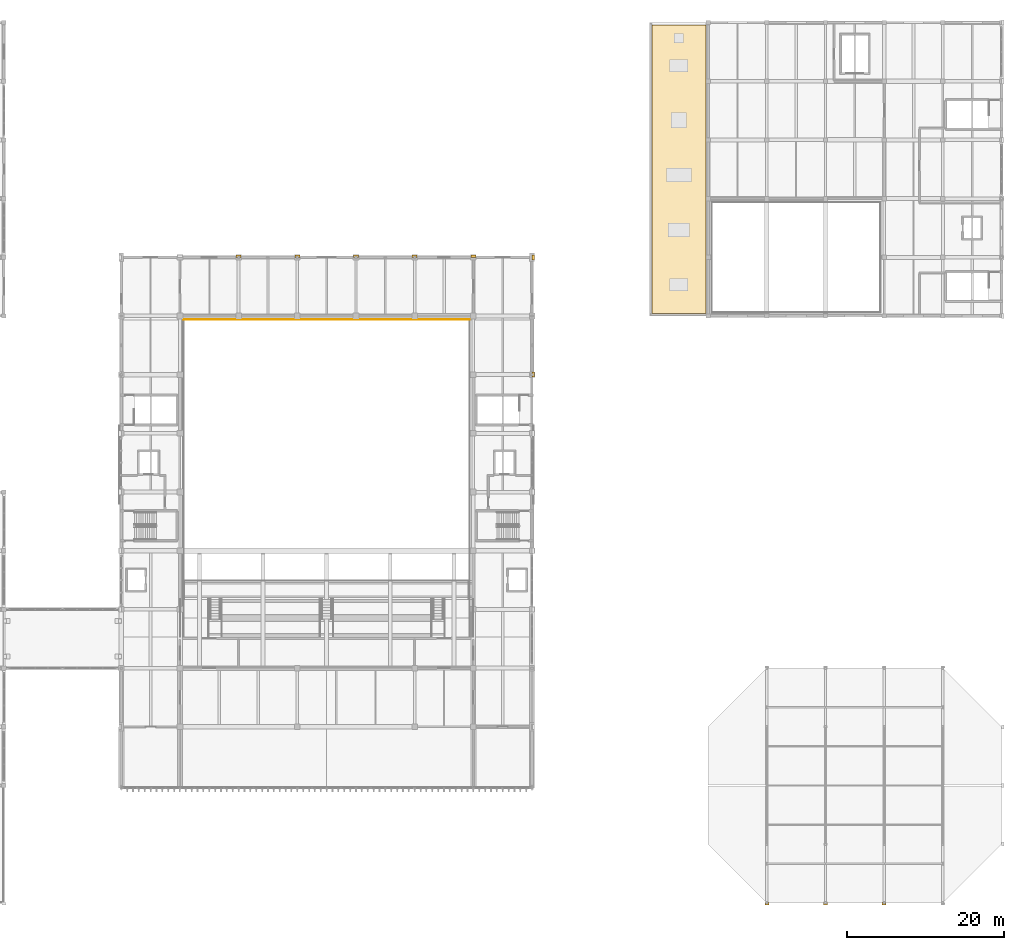
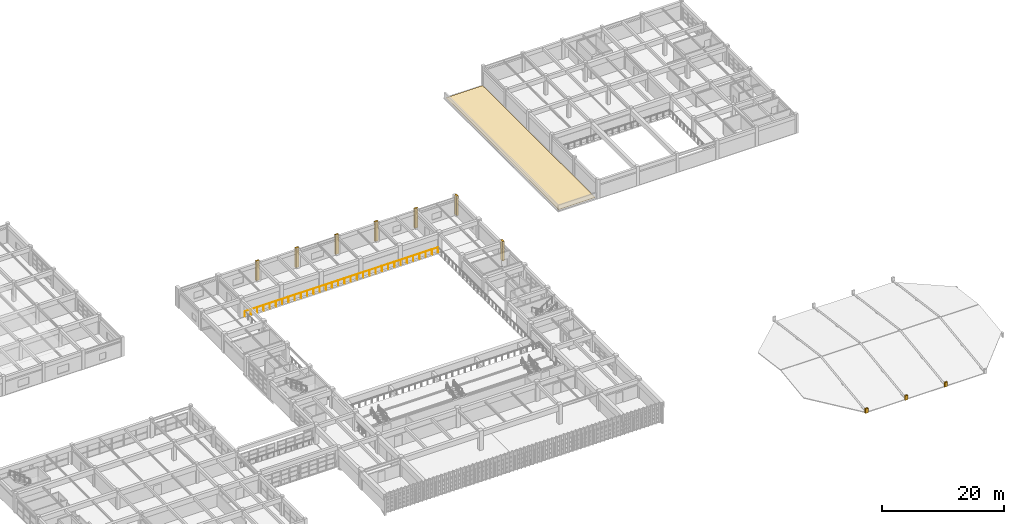
# One storey, part 100 of 101: 11 coverings, 1 railing.
"""IFC4 building model written with IfcOpenShell, lengths in metres."""

from ifc_helpers import new_model, si_unit, direction, frame, origin, origin_2d, place, context, subcontext, project, spatial, polyline, rectangle, circle, outline, extrude, material, layer, layer_set, type_object, element, save


model = new_model("IFC4")

# Units and contexts
model_context = context("Model", 3, precision=1e-05, world=origin(), true_north=direction((0.0, 1.0)))
body_context = subcontext(model_context, "Body", "Model", "MODEL_VIEW")
ifc_project = project(units=[si_unit("LENGTHUNIT", "METRE"), si_unit("AREAUNIT", "SQUARE_METRE"), si_unit("VOLUMEUNIT", "CUBIC_METRE"), si_unit("PLANEANGLEUNIT", "RADIAN"), si_unit("MASSUNIT", "GRAM", prefix="KILO")], contexts=[model_context])

# Site, building, storey
site_placement = place(None, origin())
site = spatial("IfcSite", under=ifc_project, at=site_placement, CompositionType="ELEMENT")
building_placement = place(site_placement, origin())
building = spatial("IfcBuilding", under=site, at=building_placement, Name="Qasida Concert Hall", CompositionType="ELEMENT")
storey_placement = place(building_placement, frame((0.0, 0.0, 13.199951171875)))
storey = spatial("IfcBuildingStorey", under=building, at=storey_placement, Name="L03", CompositionType="ELEMENT", Elevation=13.199951171875)

# Coverings
ifc_material_1 = material(Name="Projecting fluted Lebanese limestone Art Deco pilaster", Category="masonry")
ifc_layer_1 = layer(ifc_material_1, 0.35009765625, Name="Projecting fluted Lebanese limestone Art Deco pilaster")
ifc_layer_set_1 = layer_set([ifc_layer_1], Name="Projecting fluted Lebanese limestone Art Deco pilaster")
covering_type_1 = type_object("IfcCoveringType", Name="CV-PIL-650", PredefinedType="CLADDING", material=ifc_layer_set_1)
for number, where, z_axis, x_axis, name in (
    (1, (105.135009765625, 67.5, 0.0), (0.0, 0.0, 1.0), (1.0, 0.0, 0.0), "L03 fluted limestone pilaster 0081"),
    (2, (105.135009765625, 82.5, 0.0), (0.0, 0.0, 1.0), (1.0, 0.0, 0.0), "L03 fluted limestone pilaster 0095"),
):
    element("IfcCovering", number, at=place(storey_placement, frame(where, z_axis=z_axis, x_axis=x_axis)), inside=storey, type_object=covering_type_1, Name=name, PredefinedType="CLADDING", context=body_context, shape_type="SweptSolid", body=[
        extrude(rectangle(XDim=0.35009765625, YDim=0.64990234375, at=origin_2d()), origin(), (0.0, 0.0, 1.0), 3.89990234375),
    ])
for number, where, z_axis, x_axis, name in (
    (3, (67.5, 82.635009765625, 0.0), (0.0, 0.0, 1.0), (1.0, 0.0, 0.0), "L03 fluted limestone pilaster 0109"),
    (4, (75.0, 82.635009765625, 0.0), (0.0, 0.0, 1.0), (1.0, 0.0, 0.0), "L03 fluted limestone pilaster 0116"),
    (5, (82.5, 82.635009765625, 0.0), (0.0, 0.0, 1.0), (1.0, 0.0, 0.0), "L03 fluted limestone pilaster 0123"),
    (6, (90.0, 82.635009765625, 0.0), (0.0, 0.0, 1.0), (1.0, 0.0, 0.0), "L03 fluted limestone pilaster 0130"),
    (7, (97.5, 82.635009765625, 0.0), (0.0, 0.0, 1.0), (1.0, 0.0, 0.0), "L03 fluted limestone pilaster 0137"),
):
    element("IfcCovering", number, at=place(storey_placement, frame(where, z_axis=z_axis, x_axis=x_axis)), inside=storey, type_object=covering_type_1, Name=name, PredefinedType="CLADDING", context=body_context, shape_type="SweptSolid", body=[
        extrude(rectangle(XDim=0.64990234375, YDim=0.35009765625, at=origin_2d()), origin(), (0.0, 0.0, 1.0), 3.89990234375),
    ])
for number, where, z_axis, x_axis, name in (
    (8, (135.0, -0.135009765625, 0.0), (0.0, 0.0, 1.0), (1.0, 0.0, 0.0), "Stepped Art Deco pier finial 0194"),
    (9, (142.5, -0.135009765625, 0.0), (0.0, 0.0, 1.0), (1.0, 0.0, 0.0), "Stepped Art Deco pier finial 0202"),
    (10, (150.0, -0.135009765625, 0.0), (0.0, 0.0, 1.0), (1.0, 0.0, 0.0), "Stepped Art Deco pier finial 0210"),
):
    element("IfcCovering", number, at=place(storey_placement, frame(where, z_axis=z_axis, x_axis=x_axis)), inside=storey, type_object=covering_type_1, Name=name, PredefinedType="CLADDING", context=body_context, shape_type="SweptSolid", body=[
        extrude(rectangle(XDim=0.52001953125, YDim=0.300048828125, at=origin_2d()), origin(), (0.0, 0.0, 1.0), 0.89990234375),
    ])
ifc_material_2 = material(Name="Standing-seam patinated zinc-bronze acoustic roofing", Category="aluminium")
ifc_layer_2 = layer(ifc_material_2, 0.06005859375, Name="Standing-seam patinated zinc-bronze acoustic roofing")
ifc_layer_set_2 = layer_set([ifc_layer_2], Name="Standing-seam patinated zinc-bronze acoustic roofing")
covering_type_2 = type_object("IfcCoveringType", Name="CV-RF-1", PredefinedType="ROOFING", material=ifc_layer_set_2)
covering_placement = place(storey_placement, origin())
element("IfcCovering", 11, at=covering_placement, inside=storey, type_object=covering_type_2, Name="L03 acoustic standing-seam roofing 01", PredefinedType="ROOFING", context=body_context, shape_type="SweptSolid", body=[
    extrude(outline(polyline([(120.300048828125, 75.300048828125), (127.199951171875, 75.300048828125), (127.199951171875, 112.199951171875), (120.300048828125, 112.199951171875), (120.300048828125, 75.300048828125)])), origin(), (0.0, 0.0, 1.0), 0.06005859375),
])

# Railing
ifc_material_3 = material(Name="Patinated architectural bronze and laminated glass infill", Category="glass")
ifc_layer_3 = layer(ifc_material_3, 0.080078125, Name="Patinated architectural bronze and laminated glass infill")
ifc_layer_set_3 = layer_set([ifc_layer_3], Name="Patinated architectural bronze and laminated glass infill")
railing_type = type_object("IfcRailingType", Name="RL-GRD-1100", PredefinedType="GUARDRAIL", material=ifc_layer_set_3)
railing_placement = place(storey_placement, frame((60.4599609375, 74.5400390625, 0.0)))
element("IfcRailing", 12, at=railing_placement, inside=storey, type_object=railing_type, Name="L03 Symphony L03 gallery guardrail 0111", PredefinedType="GUARDRAIL", context=body_context, shape_type="SweptSolid", body=[
    extrude(circle(Radius=0.02392578125, at=origin_2d()), frame((0.0, 0.0, 1.09619140625), z_axis=(1.0, 0.0, 0.0), x_axis=(0.0, 1.0, 0.0)), (0.0, 0.0, 1.0), 36.580078125),
    extrude(circle(Radius=0.02099609375, at=origin_2d()), origin(), (0.0, 0.0, 1.0), 1.072021484375),
    extrude(circle(Radius=0.02099609375, at=origin_2d()), frame((1.179931640625, 0.0, 0.0)), (0.0, 0.0, 1.0), 1.072021484375),
    extrude(circle(Radius=0.02099609375, at=origin_2d()), frame((2.360107421875, 0.0, 0.0)), (0.0, 0.0, 1.0), 1.072021484375),
    extrude(circle(Radius=0.02099609375, at=origin_2d()), frame((3.5400390625, 0.0, 0.0)), (0.0, 0.0, 1.0), 1.072021484375),
    extrude(circle(Radius=0.02099609375, at=origin_2d()), frame((4.719970703125, 0.0, 0.0)), (0.0, 0.0, 1.0), 1.072021484375),
    extrude(circle(Radius=0.02099609375, at=origin_2d()), frame((5.89990234375, 0.0, 0.0)), (0.0, 0.0, 1.0), 1.072021484375),
    extrude(circle(Radius=0.02099609375, at=origin_2d()), frame((7.080078125, 0.0, 0.0)), (0.0, 0.0, 1.0), 1.072021484375),
    extrude(circle(Radius=0.02099609375, at=origin_2d()), frame((8.260009765625, 0.0, 0.0)), (0.0, 0.0, 1.0), 1.072021484375),
    extrude(circle(Radius=0.02099609375, at=origin_2d()), frame((9.43994140625, 0.0, 0.0)), (0.0, 0.0, 1.0), 1.072021484375),
    extrude(circle(Radius=0.02099609375, at=origin_2d()), frame((10.6201171875, 0.0, 0.0)), (0.0, 0.0, 1.0), 1.072021484375),
    extrude(circle(Radius=0.02099609375, at=origin_2d()), frame((11.800048828125, 0.0, 0.0)), (0.0, 0.0, 1.0), 1.072021484375),
    extrude(circle(Radius=0.02099609375, at=origin_2d()), frame((12.97998046875, 0.0, 0.0)), (0.0, 0.0, 1.0), 1.072021484375),
    extrude(circle(Radius=0.02099609375, at=origin_2d()), frame((14.159912109375, 0.0, 0.0)), (0.0, 0.0, 1.0), 1.072021484375),
    extrude(circle(Radius=0.02099609375, at=origin_2d()), frame((15.340087890625, 0.0, 0.0)), (0.0, 0.0, 1.0), 1.072021484375),
    extrude(circle(Radius=0.02099609375, at=origin_2d()), frame((16.52001953125, 0.0, 0.0)), (0.0, 0.0, 1.0), 1.072021484375),
    extrude(circle(Radius=0.02099609375, at=origin_2d()), frame((17.699951171875, 0.0, 0.0)), (0.0, 0.0, 1.0), 1.072021484375),
    extrude(circle(Radius=0.02099609375, at=origin_2d()), frame((18.880126953125, 0.0, 0.0)), (0.0, 0.0, 1.0), 1.072021484375),
    extrude(circle(Radius=0.02099609375, at=origin_2d()), frame((20.06005859375, 0.0, 0.0)), (0.0, 0.0, 1.0), 1.072021484375),
    extrude(circle(Radius=0.02099609375, at=origin_2d()), frame((21.239990234375, 0.0, 0.0)), (0.0, 0.0, 1.0), 1.072021484375),
    extrude(circle(Radius=0.02099609375, at=origin_2d()), frame((22.420166015625, 0.0, 0.0)), (0.0, 0.0, 1.0), 1.072021484375),
    extrude(circle(Radius=0.02099609375, at=origin_2d()), frame((23.60009765625, 0.0, 0.0)), (0.0, 0.0, 1.0), 1.072021484375),
    extrude(circle(Radius=0.02099609375, at=origin_2d()), frame((24.780029296875, 0.0, 0.0)), (0.0, 0.0, 1.0), 1.072021484375),
    extrude(circle(Radius=0.02099609375, at=origin_2d()), frame((25.9599609375, 0.0, 0.0)), (0.0, 0.0, 1.0), 1.072021484375),
    extrude(circle(Radius=0.02099609375, at=origin_2d()), frame((27.14013671875, 0.0, 0.0)), (0.0, 0.0, 1.0), 1.072021484375),
    extrude(circle(Radius=0.02099609375, at=origin_2d()), frame((28.320068359375, 0.0, 0.0)), (0.0, 0.0, 1.0), 1.072021484375),
    extrude(circle(Radius=0.02099609375, at=origin_2d()), frame((29.5, 0.0, 0.0)), (0.0, 0.0, 1.0), 1.072021484375),
    extrude(circle(Radius=0.02099609375, at=origin_2d()), frame((30.68017578125, 0.0, 0.0)), (0.0, 0.0, 1.0), 1.072021484375),
    extrude(circle(Radius=0.02099609375, at=origin_2d()), frame((31.860107421875, 0.0, 0.0)), (0.0, 0.0, 1.0), 1.072021484375),
    extrude(circle(Radius=0.02099609375, at=origin_2d()), frame((33.0400390625, 0.0, 0.0)), (0.0, 0.0, 1.0), 1.072021484375),
    extrude(circle(Radius=0.02099609375, at=origin_2d()), frame((34.219970703125, 0.0, 0.0)), (0.0, 0.0, 1.0), 1.072021484375),
    extrude(circle(Radius=0.02099609375, at=origin_2d()), frame((35.400146484375, 0.0, 0.0)), (0.0, 0.0, 1.0), 1.072021484375),
    extrude(circle(Radius=0.02099609375, at=origin_2d()), frame((36.580078125, 0.0, 0.0)), (0.0, 0.0, 1.0), 1.072021484375),
])

save(model, "model.ifc")
